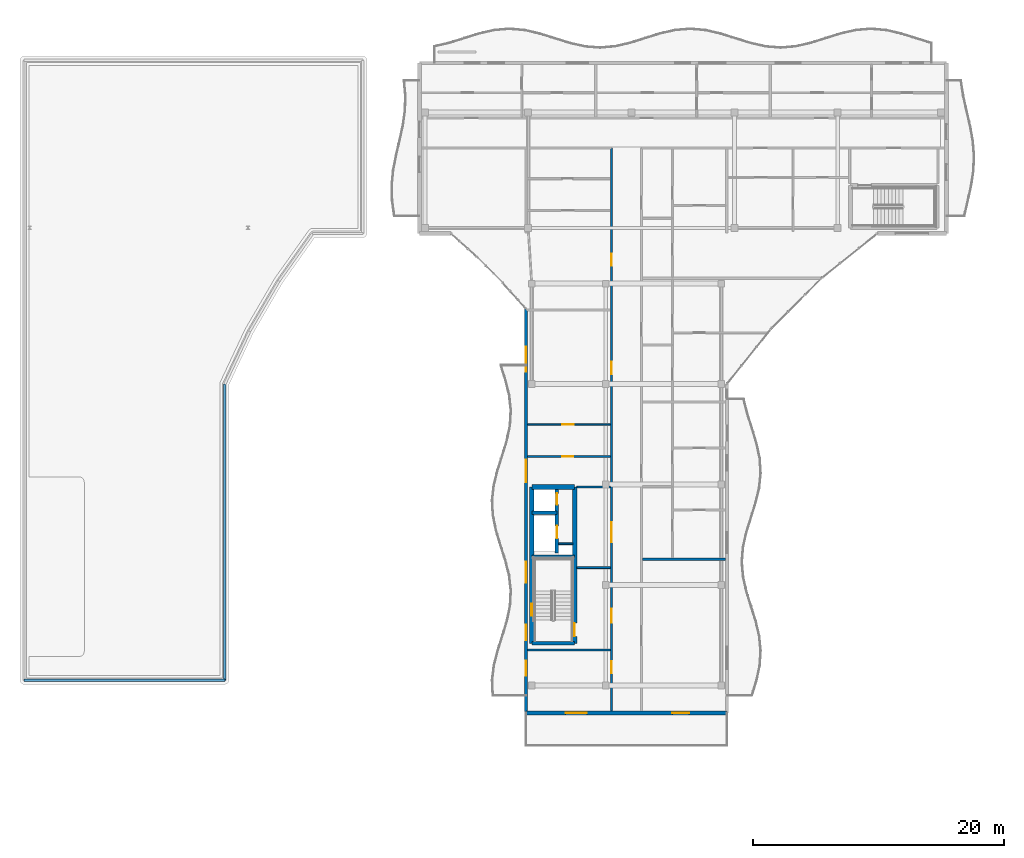
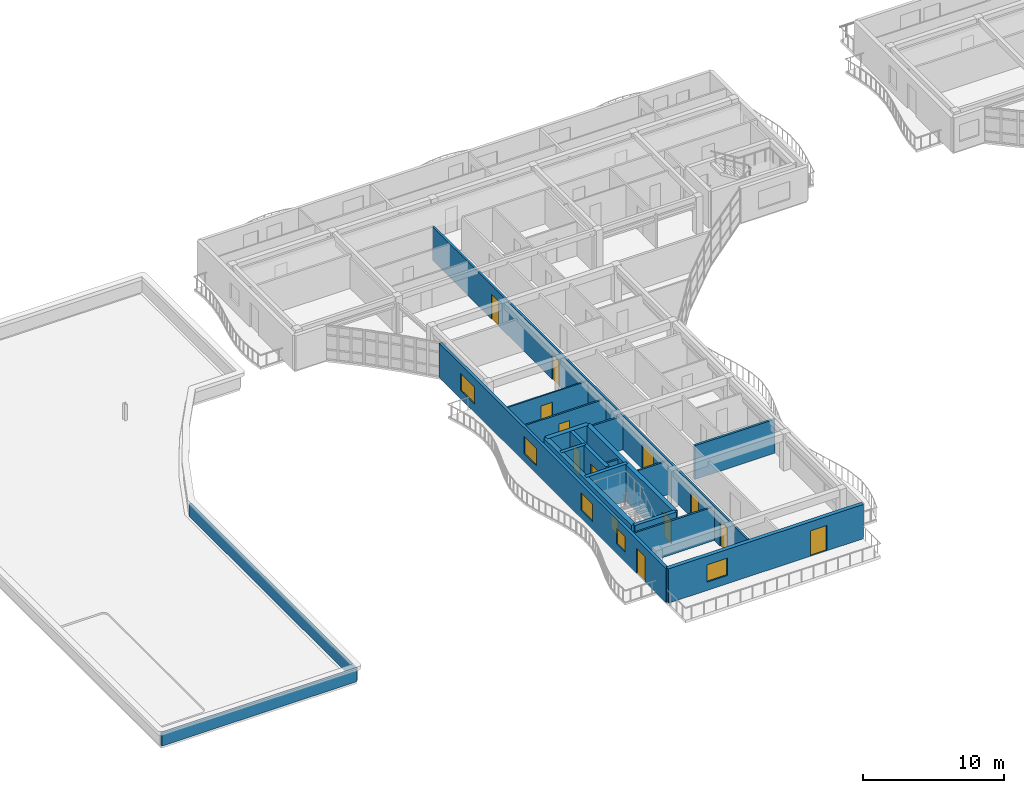
# One storey, part 25 of 54: 19 walls, 12 doors, 6 windows, 18 openings.
"""IFC4 building model written with IfcOpenShell, lengths in metres."""

from ifc_helpers import new_model, si_unit, direction, frame, frame_2d, origin, place, context, subcontext, project, spatial, rectangle, extrude, material, layer, layer_set, type_object, element, fill, save


model = new_model("IFC4")

# Units and contexts
model_context = context("Model", 3, precision=1e-05, world=origin(), true_north=direction((0.0, 1.0)))
body_context = subcontext(model_context, "Body", "Model", "MODEL_VIEW")
ifc_project = project(units=[si_unit("LENGTHUNIT", "METRE"), si_unit("AREAUNIT", "SQUARE_METRE"), si_unit("VOLUMEUNIT", "CUBIC_METRE"), si_unit("PLANEANGLEUNIT", "RADIAN"), si_unit("MASSUNIT", "GRAM", prefix="KILO")], contexts=[model_context])

# Site, building, storey
site_placement = place(None, origin())
site = spatial("IfcSite", under=ifc_project, at=site_placement, CompositionType="ELEMENT")
building_placement = place(site_placement, origin())
building = spatial("IfcBuilding", under=site, at=building_placement, Name="Keldmere Railside Commons", CompositionType="ELEMENT")
storey_placement = place(building_placement, frame((0.0, 0.0, 26.56005859375)))
storey = spatial("IfcBuildingStorey", under=building, at=storey_placement, Name="L08", CompositionType="ELEMENT", Elevation=26.56005859375)

# Wall
ifc_material_1 = material(Name="Acoustic Gypsum Board Partition", Category="gypsum")
ifc_layer_1 = layer(ifc_material_1, 0.179931640625, Name="Acoustic Demising Partition 180")
ifc_layer_set_1 = layer_set([ifc_layer_1], Name="Acoustic Gypsum Board Partition")
wall_type_1 = type_object("IfcWallType", Name="Acoustic Demising Partition 180", PredefinedType="PARTITIONING", material=ifc_layer_set_1)
wall_1_placement = place(storey_placement, frame((57.280029296875, 74.050048828125, 0.0), z_axis=(0.0, 0.0, 1.0), x_axis=(1.0, 0.0, 0.0)))
element("IfcWall", 1, at=wall_1_placement, inside=storey, type_object=wall_type_1, Name="IW-1 IW-L08-0824", PredefinedType="PARTITIONING", context=body_context, shape_type="SweptSolid", body=[
    extrude(rectangle(XDim=6.599853515625, YDim=0.179931640625, at=frame_2d((3.2998046875, 0.0))), origin(), (0.0, 0.0, 1.0), 2.93505859375),
])

# Wall, opening, door
ifc_layer_2 = layer(ifc_material_1, 0.1201171875, Name="Apartment Interior Partition 120")
ifc_layer_set_2 = layer_set([ifc_layer_2], Name="Acoustic Gypsum Board Partition")
wall_type_2 = type_object("IfcWallType", Name="Apartment Interior Partition 120", PredefinedType="PARTITIONING", material=ifc_layer_set_2)
wall_2_placement = place(storey_placement, frame((48.1201171875, 84.780029296875, 0.0), z_axis=(0.0, 0.0, 1.0), x_axis=(1.0, 0.0, 0.0)))
wall_2 = element("IfcWall", 2, at=wall_2_placement, inside=storey, type_object=wall_type_2, Name="IW-4 IW-L08-0853", PredefinedType="PARTITIONING", context=body_context, shape_type="SweptSolid", body=[
    extrude(rectangle(XDim=6.599853515625, YDim=0.1201171875, at=frame_2d((3.2998046875, 0.0))), origin(), (0.0, 0.0, 1.0), 2.93505859375),
])
opening_1_placement = place(wall_2_placement, frame((2.77197265625, 0.0, 0.0)))
opening_1 = element("IfcOpeningElement", 3, at=opening_1_placement, cuts=wall_2, Name="Opening ID-03", PredefinedType="OPENING", context=body_context, shape_type="SweptSolid", body=[
    extrude(rectangle(XDim=0.919921875, YDim=2.10009765625, at=frame_2d((0.4599609375, 1.050048828125))), frame((0.0, 0.070068359375, 0.0), z_axis=(0.0, -1.0, 0.0), x_axis=(1.0, 0.0, 0.0)), (0.0, 0.0, 1.0), 0.14013671875),
])
ifc_material_2 = material(Name="Engineered Oak Timber", Category="wood")
door_type_1 = type_object("IfcDoorType", Name="Kitchen Pocket-Frame Swing Door 920x2100", OperationType="NOTDEFINED", PredefinedType="DOOR", material=ifc_material_2)
door_1_placement = place(opening_1_placement, origin())
door_1 = element("IfcDoor", 4, at=door_1_placement, inside=storey, type_object=door_type_1, Name="ID-03 IDR-L08-0737", OperationType="SINGLE_SWING_LEFT", OverallHeight=2.10009765625, OverallWidth=0.919921875, PredefinedType="DOOR", context=body_context, shape_type="SweptSolid", body=[
    extrude(rectangle(XDim=0.919921875, YDim=2.10009765625, at=frame_2d((0.4599609375, 1.050048828125))), frame((0.0, 0.02490234375, 0.0), z_axis=(0.0, -1.0, 0.0), x_axis=(1.0, 0.0, 0.0)), (0.0, 0.0, 1.0), 0.050048828125),
])
fill(opening_1, door_1)

# Walls
ifc_material_3 = material(Name="Concrete H-35 (C35/45)", Category="concrete")
ifc_layer_3 = layer(ifc_material_3, 0.280029296875, Name="Core Shear Wall 280")
ifc_layer_set_3 = layer_set([ifc_layer_3], Name="Concrete H-35 (C35/45)")
wall_type_3 = type_object("IfcWallType", Name="Core Shear Wall 280", PredefinedType="SHEAR", material=ifc_layer_set_3)
wall_3_placement = place(storey_placement, frame((48.4599609375, 74.239990234375, 0.0), z_axis=(0.0, 0.0, 1.0), x_axis=(1.0, 0.0, 0.0)))
element("IfcWall", 5, at=wall_3_placement, inside=storey, type_object=wall_type_3, Name="CSW-2 CORECM-L08-0298", PredefinedType="SHEAR", context=body_context, shape_type="SweptSolid", body=[
    extrude(rectangle(XDim=3.41015625, YDim=0.280029296875, at=frame_2d((1.705078125, 0.0))), origin(), (0.0, 0.0, 1.0), 3.199951171875),
])
wall_4_placement = place(storey_placement, frame((48.4599609375, 77.75, 0.0), z_axis=(0.0, 0.0, 1.0), x_axis=(1.0, 0.0, 0.0)))
element("IfcWall", 6, at=wall_4_placement, inside=storey, type_object=wall_type_3, Name="CSW-2 CORECL-L08-0299", PredefinedType="SHEAR", context=body_context, shape_type="SweptSolid", body=[
    extrude(rectangle(XDim=2.0, YDim=0.280029296875, at=frame_2d((1.0, 0.0))), origin(), (0.0, 0.0, 1.0), 3.199951171875),
])

# Wall, openings, doors
wall_5_placement = place(storey_placement, frame((50.4599609375, 74.550048828125, 0.0), z_axis=(0.0, 0.0, 1.0), x_axis=(0.0, 1.0, 0.0)))
wall_5 = element("IfcWall", 7, at=wall_5_placement, inside=storey, type_object=wall_type_3, Name="CSW-2 LSHC-L08-0300", PredefinedType="SHEAR", context=body_context, shape_type="SweptSolid", body=[
    extrude(rectangle(XDim=5.25, YDim=0.280029296875, at=frame_2d((2.625, 0.0))), origin(), (0.0, 0.0, 1.0), 3.199951171875),
])
opening_2_placement = place(wall_5_placement, frame((1.14990234375, 0.0, 0.0)))
opening_2 = element("IfcOpeningElement", 8, at=opening_2_placement, cuts=wall_5, Name="Opening LD-1", PredefinedType="OPENING", context=body_context, shape_type="SweptSolid", body=[
    extrude(rectangle(XDim=1.0, YDim=2.14990234375, at=frame_2d((0.5, 1.074951171875))), frame((0.0, 0.14990234375, 0.0), z_axis=(0.0, -1.0, 0.0), x_axis=(1.0, 0.0, 0.0)), (0.0, 0.0, 1.0), 0.300048828125),
])
opening_3_placement = place(wall_5_placement, frame((3.85009765625, 0.0, 0.0)))
opening_3 = element("IfcOpeningElement", 9, at=opening_3_placement, cuts=wall_5, Name="Opening LD-2", PredefinedType="OPENING", context=body_context, shape_type="SweptSolid", body=[
    extrude(rectangle(XDim=0.89990234375, YDim=2.14990234375, at=frame_2d((0.449951171875, 1.074951171875))), frame((0.0, 0.14990234375, 0.0), z_axis=(0.0, -1.0, 0.0), x_axis=(1.0, 0.0, 0.0)), (0.0, 0.0, 1.0), 0.300048828125),
])
ifc_material_4 = material(Name="Steel F-24 (S235)", Category="steel")
door_type_2 = type_object("IfcDoorType", Name="Firefighting Stretcher Lift Landing Door 1000x2150", OperationType="SLIDING_TO_LEFT", PredefinedType="DOOR", material=ifc_material_4)
door_2_placement = place(opening_2_placement, origin())
door_2 = element("IfcDoor", 10, at=door_2_placement, inside=storey, type_object=door_type_2, Name="LD-1 C L08", OperationType="SLIDING_TO_LEFT", OverallHeight=2.14990234375, OverallWidth=1.0, PredefinedType="DOOR", context=body_context, shape_type="SweptSolid", body=[
    extrude(rectangle(XDim=1.0, YDim=2.14990234375, at=frame_2d((0.5, 1.074951171875))), frame((0.0, 0.02490234375, 0.0), z_axis=(0.0, -1.0, 0.0), x_axis=(1.0, 0.0, 0.0)), (0.0, 0.0, 1.0), 0.050048828125),
])
fill(opening_2, door_2)
door_type_3 = type_object("IfcDoorType", Name="Passenger Lift Sliding Landing Door 900x2150", OperationType="SLIDING_TO_RIGHT", PredefinedType="DOOR", material=ifc_material_4)
door_3_placement = place(opening_3_placement, origin())
door_3 = element("IfcDoor", 11, at=door_3_placement, inside=storey, type_object=door_type_3, Name="LD-2 C L08", OperationType="SLIDING_TO_RIGHT", OverallHeight=2.14990234375, OverallWidth=0.89990234375, PredefinedType="DOOR", context=body_context, shape_type="SweptSolid", body=[
    extrude(rectangle(XDim=0.89990234375, YDim=2.14990234375, at=frame_2d((0.449951171875, 1.074951171875))), frame((0.0, 0.02490234375, 0.0), z_axis=(0.0, -1.0, 0.0), x_axis=(1.0, 0.0, 0.0)), (0.0, 0.0, 1.0), 0.050048828125),
])
fill(opening_3, door_3)

# Wall, opening, window
ifc_material_5 = material(Name="Concrete H-40 (C40/50)", Category="concrete")
ifc_layer_4 = layer(ifc_material_5, 0.3798828125, Name="Core Shear Wall 380")
ifc_layer_set_4 = layer_set([ifc_layer_4], Name="Concrete H-40 (C40/50)")
wall_type_4 = type_object("IfcWallType", Name="Core Shear Wall 380", PredefinedType="SHEAR", material=ifc_layer_set_4)
wall_6_placement = place(storey_placement, frame((48.4599609375, 67.35009765625, 0.0), z_axis=(0.0, 0.0, 1.0), x_axis=(0.0, 1.0, 0.0)))
wall_6 = element("IfcWall", 12, at=wall_6_placement, inside=storey, type_object=wall_type_4, Name="CW-CORE CORECW-L08-0294", PredefinedType="SHEAR", context=body_context, shape_type="SweptSolid", body=[
    extrude(rectangle(XDim=12.449951171875, YDim=0.3798828125, at=frame_2d((6.22509765625, 0.0))), origin(), (0.0, 0.0, 1.0), 3.199951171875),
])
opening_4_placement = place(wall_6_placement, frame((2.199951171875, 0.0, 0.969970703125)))
opening_4 = element("IfcOpeningElement", 13, at=opening_4_placement, cuts=wall_6, Name="Opening WN-17", PredefinedType="OPENING", context=body_context, shape_type="SweptSolid", body=[
    extrude(rectangle(XDim=0.949951171875, YDim=1.25, at=frame_2d((0.47509765625, 0.625))), frame((0.0, 0.199951171875, 0.0), z_axis=(0.0, -1.0, 0.0), x_axis=(1.0, 0.0, 0.0)), (0.0, 0.0, 1.0), 0.39990234375),
])
ifc_material_6 = material(Name="Low-E Insulated Double Glazing", Category="glass")
window_type_1 = type_object("IfcWindowType", Name="Stair Core Natural Smoke-Vent Window 950x1250", PartitioningType="SINGLE_PANEL", PredefinedType="WINDOW", material=ifc_material_6)
window_1_placement = place(opening_4_placement, origin())
window_1 = element("IfcWindow", 14, at=window_1_placement, inside=storey, type_object=window_type_1, Name="WN-17 WIN-L08-0154", OverallHeight=1.25, OverallWidth=0.949951171875, PartitioningType="SINGLE_PANEL", PredefinedType="WINDOW", context=body_context, shape_type="SweptSolid", body=[
    extrude(rectangle(XDim=0.949951171875, YDim=1.25, at=frame_2d((0.47509765625, 0.625))), frame((0.0, 0.030029296875, 0.0), z_axis=(0.0, -1.0, 0.0), x_axis=(1.0, 0.0, 0.0)), (0.0, 0.0, 1.0), 0.06005859375),
])
fill(opening_4, window_1)

# Wall
wall_7_placement = place(storey_placement, frame((48.4599609375, 79.800048828125, 0.0), z_axis=(0.0, 0.0, 1.0), x_axis=(1.0, 0.0, 0.0)))
element("IfcWall", 15, at=wall_7_placement, inside=storey, type_object=wall_type_4, Name="CW-CORE CORECN-L08-0295", PredefinedType="SHEAR", context=body_context, shape_type="SweptSolid", body=[
    extrude(rectangle(XDim=3.41015625, YDim=0.3798828125, at=frame_2d((1.705078125, 0.0))), origin(), (0.0, 0.0, 1.0), 3.199951171875),
])

# Wall, openings, doors
ifc_layer_5 = layer(ifc_material_1, 0.159912109375, Name="Corridor Fire Partition 160")
ifc_layer_set_5 = layer_set([ifc_layer_5], Name="Acoustic Gypsum Board Partition")
wall_type_5 = type_object("IfcWallType", Name="Corridor Fire Partition 160", PredefinedType="PARTITIONING", material=ifc_layer_set_5)
wall_8_placement = place(storey_placement, frame((54.800048828125, 61.9599609375, 0.0), z_axis=(0.0, 0.0, 1.0), x_axis=(0.0, 1.0, 0.0)))
wall_8 = element("IfcWall", 16, at=wall_8_placement, inside=storey, type_object=wall_type_5, Name="IW-2 IW-L08-0815", PredefinedType="PARTITIONING", context=body_context, shape_type="SweptSolid", body=[
    extrude(rectangle(XDim=44.840087890625, YDim=0.159912109375, at=frame_2d((22.419921875, 0.0))), origin(), (0.0, 0.0, 1.0), 2.93505859375),
])
opening_5_placement = place(wall_8_placement, frame((7.0400390625, 0.0, 0.0)))
opening_5 = element("IfcOpeningElement", 17, at=opening_5_placement, cuts=wall_8, Name="Opening FD-2", PredefinedType="OPENING", context=body_context, shape_type="SweptSolid", body=[
    extrude(rectangle(XDim=1.10009765625, YDim=2.14990234375, at=frame_2d((0.550048828125, 1.074951171875))), frame((0.0, 0.08984375, 0.0), z_axis=(0.0, -1.0, 0.0), x_axis=(1.0, 0.0, 0.0)), (0.0, 0.0, 1.0), 0.179931640625),
])
opening_6_placement = place(wall_8_placement, frame((13.43994140625, 0.0, 0.0)))
opening_6 = element("IfcOpeningElement", 18, at=opening_6_placement, cuts=wall_8, Name="Opening FD-4", PredefinedType="OPENING", context=body_context, shape_type="SweptSolid", body=[
    extrude(rectangle(XDim=1.60009765625, YDim=2.14990234375, at=frame_2d((0.800048828125, 1.074951171875))), frame((0.0, 0.08984375, 0.0), z_axis=(0.0, -1.0, 0.0), x_axis=(1.0, 0.0, 0.0)), (0.0, 0.0, 1.0), 0.179931640625),
])
opening_7_placement = place(wall_8_placement, frame((3.0, 0.0, 0.0)))
opening_7 = element("IfcOpeningElement", 19, at=opening_7_placement, cuts=wall_8, Name="Opening ID-08", PredefinedType="OPENING", context=body_context, shape_type="SweptSolid", body=[
    extrude(rectangle(XDim=0.9599609375, YDim=2.14990234375, at=frame_2d((0.47998046875, 1.074951171875))), frame((0.0, 0.08984375, 0.0), z_axis=(0.0, -1.0, 0.0), x_axis=(1.0, 0.0, 0.0)), (0.0, 0.0, 1.0), 0.179931640625),
])
opening_8_placement = place(wall_8_placement, frame((26.844970703125, 0.0, 0.0)))
opening_8 = element("IfcOpeningElement", 20, at=opening_8_placement, cuts=wall_8, Name="Opening FD-7", PredefinedType="OPENING", context=body_context, shape_type="SweptSolid", body=[
    extrude(rectangle(XDim=0.97998046875, YDim=2.14990234375, at=frame_2d((0.489990234375, 1.074951171875))), frame((0.0, 0.08984375, 0.0), z_axis=(0.0, -1.0, 0.0), x_axis=(1.0, 0.0, 0.0)), (0.0, 0.0, 1.0), 0.179931640625),
])
opening_9_placement = place(wall_8_placement, frame((35.455078125, 0.0, 0.0)))
opening_9 = element("IfcOpeningElement", 21, at=opening_9_placement, cuts=wall_8, Name="Opening FD-7", PredefinedType="OPENING", context=body_context, shape_type="SweptSolid", body=[
    extrude(rectangle(XDim=0.97998046875, YDim=2.14990234375, at=frame_2d((0.489990234375, 1.074951171875))), frame((0.0, 0.08984375, 0.0), z_axis=(0.0, -1.0, 0.0), x_axis=(1.0, 0.0, 0.0)), (0.0, 0.0, 1.0), 0.179931640625),
])
door_type_4 = type_object("IfcDoorType", Name="Apartment Entrance Acoustic Fire Door 980x2150", OperationType="NOTDEFINED", PredefinedType="DOOR", material=ifc_material_2)
door_4_placement = place(opening_8_placement, origin())
door_4 = element("IfcDoor", 22, at=door_4_placement, inside=storey, type_object=door_type_4, Name="FD-7 IDR-L08-0738", OperationType="SINGLE_SWING_RIGHT", OverallHeight=2.14990234375, OverallWidth=0.97998046875, PredefinedType="DOOR", context=body_context, shape_type="SweptSolid", body=[
    extrude(rectangle(XDim=0.97998046875, YDim=2.14990234375, at=frame_2d((0.489990234375, 1.074951171875))), frame((0.0, 0.02490234375, 0.0), z_axis=(0.0, -1.0, 0.0), x_axis=(1.0, 0.0, 0.0)), (0.0, 0.0, 1.0), 0.050048828125),
])
fill(opening_8, door_4)
door_5_placement = place(opening_9_placement, origin())
door_5 = element("IfcDoor", 23, at=door_5_placement, inside=storey, type_object=door_type_4, Name="FD-7 IDR-L08-0741", OperationType="SINGLE_SWING_LEFT", OverallHeight=2.14990234375, OverallWidth=0.97998046875, PredefinedType="DOOR", context=body_context, shape_type="SweptSolid", body=[
    extrude(rectangle(XDim=0.97998046875, YDim=2.14990234375, at=frame_2d((0.489990234375, 1.074951171875))), frame((0.0, 0.02490234375, 0.0), z_axis=(0.0, -1.0, 0.0), x_axis=(1.0, 0.0, 0.0)), (0.0, 0.0, 1.0), 0.050048828125),
])
fill(opening_9, door_5)
door_type_5 = type_object("IfcDoorType", Name="Corridor Cross-Compartment Double Fire Door 1600x2150", OperationType="DOUBLE_DOOR_SINGLE_SWING", PredefinedType="DOOR", material=ifc_material_4)
door_6_placement = place(opening_6_placement, origin())
door_6 = element("IfcDoor", 24, at=door_6_placement, inside=storey, type_object=door_type_5, Name="FD-4 IDR-L08-0702", OperationType="DOUBLE_DOOR_SINGLE_SWING", OverallHeight=2.14990234375, OverallWidth=1.60009765625, PredefinedType="DOOR", context=body_context, shape_type="SweptSolid", body=[
    extrude(rectangle(XDim=1.60009765625, YDim=2.14990234375, at=frame_2d((0.800048828125, 1.074951171875))), frame((0.0, 0.02490234375, 0.0), z_axis=(0.0, -1.0, 0.0), x_axis=(1.0, 0.0, 0.0)), (0.0, 0.0, 1.0), 0.050048828125),
])
fill(opening_6, door_6)
door_type_6 = type_object("IfcDoorType", Name="Firefighting Lobby Fire Door 1100x2150", OperationType="NOTDEFINED", PredefinedType="DOOR", material=ifc_material_4)
door_7_placement = place(opening_5_placement, origin())
door_7 = element("IfcDoor", 25, at=door_7_placement, inside=storey, type_object=door_type_6, Name="FD-2 IDR-L08-0701", OperationType="SINGLE_SWING_LEFT", OverallHeight=2.14990234375, OverallWidth=1.10009765625, PredefinedType="DOOR", context=body_context, shape_type="SweptSolid", body=[
    extrude(rectangle(XDim=1.10009765625, YDim=2.14990234375, at=frame_2d((0.550048828125, 1.074951171875))), frame((0.0, 0.02490234375, 0.0), z_axis=(0.0, -1.0, 0.0), x_axis=(1.0, 0.0, 0.0)), (0.0, 0.0, 1.0), 0.050048828125),
])
fill(opening_5, door_7)
door_type_7 = type_object("IfcDoorType", Name="Study & Meeting Room Door 960x2150", OperationType="NOTDEFINED", PredefinedType="DOOR", material=ifc_material_2)
door_8_placement = place(opening_7_placement, origin())
door_8 = element("IfcDoor", 26, at=door_8_placement, inside=storey, type_object=door_type_7, Name="ID-08 IDR-L08-0735", OperationType="SINGLE_SWING_LEFT", OverallHeight=2.14990234375, OverallWidth=0.9599609375, PredefinedType="DOOR", context=body_context, shape_type="SweptSolid", body=[
    extrude(rectangle(XDim=0.9599609375, YDim=2.14990234375, at=frame_2d((0.47998046875, 1.074951171875))), frame((0.0, 0.02490234375, 0.0), z_axis=(0.0, -1.0, 0.0), x_axis=(1.0, 0.0, 0.0)), (0.0, 0.0, 1.0), 0.050048828125),
])
fill(opening_7, door_8)

# Wall, openings, door, window
ifc_layer_6 = layer(ifc_material_3, 0.320068359375, Name="Exterior Shear Wall 320")
ifc_layer_set_6 = layer_set([ifc_layer_6], Name="Concrete H-35 (C35/45)")
wall_type_6 = type_object("IfcWallType", Name="Exterior Shear Wall 320", PredefinedType="SHEAR", material=ifc_layer_set_6)
wall_9_placement = place(storey_placement, frame((64.0, 61.800048828125, 0.0), z_axis=(0.0, 0.0, 1.0), x_axis=(-1.0, 0.0, 0.0)))
wall_9 = element("IfcWall", 27, at=wall_9_placement, inside=storey, type_object=wall_type_6, Name="ESW-2 EXTC-L08-0388", PredefinedType="SHEAR", context=body_context, shape_type="SweptSolid", body=[
    extrude(rectangle(XDim=16.0, YDim=0.320068359375, at=frame_2d((8.0, 0.0))), origin(), (0.0, 0.0, 1.0), 2.97998046875),
])
opening_10_placement = place(wall_9_placement, frame((3.0, 0.0, 0.0)))
opening_10 = element("IfcOpeningElement", 28, at=opening_10_placement, cuts=wall_9, Name="Opening BD-03", PredefinedType="OPENING", context=body_context, shape_type="SweptSolid", body=[
    extrude(rectangle(XDim=1.35009765625, YDim=2.199951171875, at=frame_2d((0.675048828125, 1.10009765625))), frame((0.0, 0.169921875, 0.0), z_axis=(0.0, -1.0, 0.0), x_axis=(1.0, 0.0, 0.0)), (0.0, 0.0, 1.0), 0.340087890625),
])
opening_11_placement = place(wall_9_placement, frame((11.159912109375, 0.0, 0.719970703125)))
opening_11 = element("IfcOpeningElement", 29, at=opening_11_placement, cuts=wall_9, Name="Opening WN-40", PredefinedType="OPENING", context=body_context, shape_type="SweptSolid", body=[
    extrude(rectangle(XDim=1.679931640625, YDim=1.5, at=frame_2d((0.83984375, 0.75))), frame((0.0, 0.169921875, 0.0), z_axis=(0.0, -1.0, 0.0), x_axis=(1.0, 0.0, 0.0)), (0.0, 0.0, 1.0), 0.340087890625),
])
ifc_material_7 = material(Name="Thermally Broken Aluminium", Category="aluminium")
door_type_8 = type_object("IfcDoorType", Name="Planted Roof-Terrace Lounge Door 1350x2200", OperationType="NOTDEFINED", PredefinedType="DOOR", material=ifc_material_7)
door_9_placement = place(opening_10_placement, origin())
door_9 = element("IfcDoor", 30, at=door_9_placement, inside=storey, type_object=door_type_8, Name="BD-03 DR-L08-0107", OperationType="SINGLE_SWING_LEFT", OverallHeight=2.199951171875, OverallWidth=1.35009765625, PredefinedType="DOOR", context=body_context, shape_type="SweptSolid", body=[
    extrude(rectangle(XDim=1.35009765625, YDim=2.199951171875, at=frame_2d((0.675048828125, 1.10009765625))), frame((0.0, 0.02490234375, 0.0), z_axis=(0.0, -1.0, 0.0), x_axis=(1.0, 0.0, 0.0)), (0.0, 0.0, 1.0), 0.050048828125),
])
fill(opening_10, door_9)
window_type_2 = type_object("IfcWindowType", Name="Two-Bed Dining Casement Window 1680x1500", PartitioningType="SINGLE_PANEL", PredefinedType="WINDOW", material=ifc_material_6)
window_2_placement = place(opening_11_placement, origin())
window_2 = element("IfcWindow", 31, at=window_2_placement, inside=storey, type_object=window_type_2, Name="WN-40 WIN-L08-0306", OverallHeight=1.5, OverallWidth=1.679931640625, PartitioningType="SINGLE_PANEL", PredefinedType="WINDOW", context=body_context, shape_type="SweptSolid", body=[
    extrude(rectangle(XDim=1.679931640625, YDim=1.5, at=frame_2d((0.83984375, 0.75))), frame((0.0, 0.030029296875, 0.0), z_axis=(0.0, -1.0, 0.0), x_axis=(1.0, 0.0, 0.0)), (0.0, 0.0, 1.0), 0.06005859375),
])
fill(opening_11, window_2)

# Wall
ifc_layer_7 = layer(ifc_material_3, 0.300048828125, Name="Interior Shear Wall 300")
ifc_layer_set_7 = layer_set([ifc_layer_7], Name="Concrete H-35 (C35/45)")
wall_type_7 = type_object("IfcWallType", Name="Interior Shear Wall 300", PredefinedType="SHEAR", material=ifc_layer_set_7)
wall_10_placement = place(storey_placement, frame((51.8701171875, 67.35009765625, 0.0), z_axis=(0.0, 0.0, 1.0), x_axis=(-1.0, 0.0, 0.0)))
element("IfcWall", 32, at=wall_10_placement, inside=storey, type_object=wall_type_7, Name="ISW-2 CORECS-L08-0297", PredefinedType="SHEAR", context=body_context, shape_type="SweptSolid", body=[
    extrude(rectangle(XDim=3.41015625, YDim=0.300048828125, at=frame_2d((1.705078125, 0.0))), origin(), (0.0, 0.0, 1.0), 3.199951171875),
])

# Wall, opening, door
ifc_layer_8 = layer(ifc_material_3, 0.340087890625, Name="Interior Shear Wall 340")
ifc_layer_set_8 = layer_set([ifc_layer_8], Name="Concrete H-35 (C35/45)")
wall_type_8 = type_object("IfcWallType", Name="Interior Shear Wall 340", PredefinedType="SHEAR", material=ifc_layer_set_8)
wall_11_placement = place(storey_placement, frame((51.8701171875, 79.800048828125, 0.0), z_axis=(0.0, 0.0, 1.0), x_axis=(0.0, -1.0, 0.0)))
wall_11 = element("IfcWall", 33, at=wall_11_placement, inside=storey, type_object=wall_type_8, Name="ISW-1 CORECE-L08-0296", PredefinedType="SHEAR", context=body_context, shape_type="SweptSolid", body=[
    extrude(rectangle(XDim=12.449951171875, YDim=0.340087890625, at=frame_2d((6.22509765625, 0.0))), origin(), (0.0, 0.0, 1.0), 3.199951171875),
])
opening_12_placement = place(wall_11_placement, frame((10.85009765625, 0.0, 0.0)))
opening_12 = element("IfcOpeningElement", 34, at=opening_12_placement, cuts=wall_11, Name="Opening FD-1", PredefinedType="OPENING", context=body_context, shape_type="SweptSolid", body=[
    extrude(rectangle(XDim=1.050048828125, YDim=2.14990234375, at=frame_2d((0.52490234375, 1.074951171875))), frame((0.0, 0.179931640625, 0.0), z_axis=(0.0, -1.0, 0.0), x_axis=(1.0, 0.0, 0.0)), (0.0, 0.0, 1.0), 0.360107421875),
])
door_type_9 = type_object("IfcDoorType", Name="Stair Core Fire Door 1050x2150", OperationType="NOTDEFINED", PredefinedType="DOOR", material=ifc_material_4)
door_10_placement = place(opening_12_placement, origin())
door_10 = element("IfcDoor", 35, at=door_10_placement, inside=storey, type_object=door_type_9, Name="FD-1 C1 L08", OperationType="SINGLE_SWING_LEFT", OverallHeight=2.14990234375, OverallWidth=1.050048828125, PredefinedType="DOOR", context=body_context, shape_type="SweptSolid", body=[
    extrude(rectangle(XDim=1.050048828125, YDim=2.14990234375, at=frame_2d((0.52490234375, 1.074951171875))), frame((0.0, 0.02490234375, 0.0), z_axis=(0.0, -1.0, 0.0), x_axis=(1.0, 0.0, 0.0)), (0.0, 0.0, 1.0), 0.050048828125),
])
fill(opening_12, door_10)

# Walls
ifc_layer_9 = layer(ifc_material_1, 0.14990234375, Name="Lobby Rated Partition 150")
ifc_layer_set_9 = layer_set([ifc_layer_9], Name="Acoustic Gypsum Board Partition")
wall_type_9 = type_object("IfcWallType", Name="Lobby Rated Partition 150", PredefinedType="PARTITIONING", material=ifc_layer_set_9)
wall_12_placement = place(storey_placement, frame((50.60009765625, 75.280029296875, 0.0), z_axis=(0.0, 0.0, 1.0), x_axis=(1.0, 0.0, 0.0)))
element("IfcWall", 36, at=wall_12_placement, inside=storey, type_object=wall_type_9, Name="IW-3 RSRNC-L08-0301", PredefinedType="PARTITIONING", context=body_context, shape_type="SweptSolid", body=[
    extrude(rectangle(XDim=1.1298828125, YDim=0.14990234375, at=frame_2d((0.56494140625, 0.0))), origin(), (0.0, 0.0, 1.0), 2.949951171875),
])
wall_13_placement = place(storey_placement, frame((48.1201171875, 66.820068359375, 0.0), z_axis=(0.0, 0.0, 1.0), x_axis=(1.0, 0.0, 0.0)))
element("IfcWall", 37, at=wall_13_placement, inside=storey, type_object=wall_type_9, Name="IW-3 IW-L08-0812", PredefinedType="PARTITIONING", context=body_context, shape_type="SweptSolid", body=[
    extrude(rectangle(XDim=6.599853515625, YDim=0.14990234375, at=frame_2d((3.2998046875, 0.0))), origin(), (0.0, 0.0, 1.0), 2.93505859375),
])
for number, where, z_axis, x_axis, name in (
    (38, (52.0400390625, 73.3798828125, 0.0), (0.0, 0.0, 1.0), (1.0, 0.0, 0.0), "IW-3 IW-L08-0813"),
    (39, (52.0400390625, 79.800048828125, 0.0), (0.0, 0.0, 1.0), (1.0, 0.0, 0.0), "IW-3 IW-L08-0814"),
):
    element("IfcWall", number, at=place(storey_placement, frame(where, z_axis=z_axis, x_axis=x_axis)), inside=storey, type_object=wall_type_9, Name=name, PredefinedType="PARTITIONING", context=body_context, shape_type="SweptSolid", body=[
        extrude(rectangle(XDim=2.679931640625, YDim=0.14990234375, at=frame_2d((1.33984375, 0.0))), origin(), (0.0, 0.0, 1.0), 2.93505859375),
    ])
ifc_material_8 = material(Name="Architectural Precast Concrete H-35 (C35/45)", Category="concrete")
ifc_layer_10 = layer(ifc_material_8, 0.18994140625, Name="Roof Parapet Wall 190")
ifc_layer_set_10 = layer_set([ifc_layer_10], Name="Architectural Precast Concrete H-35 (C35/45)")
wall_type_10 = type_object("IfcWallType", Name="Roof Parapet Wall 190", PredefinedType="PARAPET", material=ifc_layer_set_10)
wall_14_placement = place(storey_placement, frame((24.0, 64.39990234375, 0.0), z_axis=(0.0, 0.0, 1.0), x_axis=(-1.0, 0.0, 0.0)))
element("IfcWall", 40, at=wall_14_placement, inside=storey, type_object=wall_type_10, Name="PW-1 PRPD-L08-0177", PredefinedType="PARAPET", context=body_context, shape_type="SweptSolid", body=[
    extrude(rectangle(XDim=16.0, YDim=0.18994140625, at=frame_2d((8.0, 0.0))), origin(), (0.0, 0.0, 1.0), 1.099853515625),
])
wall_15_placement = place(storey_placement, frame((24.0, 88.0, 0.0), z_axis=(0.0, 0.0, 1.0), x_axis=(0.0, -1.0, 0.0)))
element("IfcWall", 41, at=wall_15_placement, inside=storey, type_object=wall_type_10, Name="PW-1 PRPD-L08-0178", PredefinedType="PARAPET", context=body_context, shape_type="SweptSolid", body=[
    extrude(rectangle(XDim=23.60009765625, YDim=0.18994140625, at=frame_2d((11.800048828125, 0.0))), origin(), (0.0, 0.0, 1.0), 1.099853515625),
])

# Wall, openings, door, windows
ifc_layer_11 = layer(ifc_material_8, 0.239990234375, Name="Sand-Ochre Precast Cavity Wall 240")
ifc_layer_set_11 = layer_set([ifc_layer_11], Name="Architectural Precast Concrete H-35 (C35/45)")
wall_type_11 = type_object("IfcWallType", Name="Sand-Ochre Precast Cavity Wall 240", PredefinedType="SOLIDWALL", material=ifc_layer_set_11)
wall_16_placement = place(storey_placement, frame((48.0, 61.800048828125, 0.0), z_axis=(0.0, 0.0, 1.0), x_axis=(0.0, 1.0, 0.0)))
wall_16 = element("IfcWall", 42, at=wall_16_placement, inside=storey, type_object=wall_type_11, Name="EW-2 EXTC-L08-0395", PredefinedType="SOLIDWALL", context=body_context, shape_type="SweptSolid", body=[
    extrude(rectangle(XDim=32.199951171875, YDim=0.239990234375, at=frame_2d((16.10009765625, 0.0))), origin(), (0.0, 0.0, 1.0), 2.97998046875),
])
opening_13_placement = place(wall_16_placement, frame((2.97509765625, 0.0, 0.0)))
opening_13 = element("IfcOpeningElement", 43, at=opening_13_placement, cuts=wall_16, Name="Opening BD-01", PredefinedType="OPENING", context=body_context, shape_type="SweptSolid", body=[
    extrude(rectangle(XDim=1.199951171875, YDim=2.199951171875, at=frame_2d((0.60009765625, 1.10009765625))), frame((0.0, 0.1298828125, 0.0), z_axis=(0.0, -1.0, 0.0), x_axis=(1.0, 0.0, 0.0)), (0.0, 0.0, 1.0), 0.260009765625),
])
opening_14_placement = place(wall_16_placement, frame((5.77490234375, 0.0, 0.8701171875)))
opening_14 = element("IfcOpeningElement", 44, at=opening_14_placement, cuts=wall_16, Name="Opening WN-09", PredefinedType="OPENING", context=body_context, shape_type="SweptSolid", body=[
    extrude(rectangle(XDim=1.25, YDim=1.35009765625, at=frame_2d((0.625, 0.675048828125))), frame((0.0, 0.1298828125, 0.0), z_axis=(0.0, -1.0, 0.0), x_axis=(1.0, 0.0, 0.0)), (0.0, 0.0, 1.0), 0.260009765625),
])
opening_15_placement = place(wall_16_placement, frame((10.385009765625, 0.0, 0.719970703125)))
opening_15 = element("IfcOpeningElement", 45, at=opening_15_placement, cuts=wall_16, Name="Opening WN-40", PredefinedType="OPENING", context=body_context, shape_type="SweptSolid", body=[
    extrude(rectangle(XDim=1.679931640625, YDim=1.5, at=frame_2d((0.83984375, 0.75))), frame((0.0, 0.1298828125, 0.0), z_axis=(0.0, -1.0, 0.0), x_axis=(1.0, 0.0, 0.0)), (0.0, 0.0, 1.0), 0.260009765625),
])
opening_16_placement = place(wall_16_placement, frame((18.375, 0.0, 0.719970703125)))
opening_16 = element("IfcOpeningElement", 46, at=opening_16_placement, cuts=wall_16, Name="Opening WN-01", PredefinedType="OPENING", context=body_context, shape_type="SweptSolid", body=[
    extrude(rectangle(XDim=1.800048828125, YDim=1.5, at=frame_2d((0.89990234375, 0.75))), frame((0.0, 0.1298828125, 0.0), z_axis=(0.0, -1.0, 0.0), x_axis=(1.0, 0.0, 0.0)), (0.0, 0.0, 1.0), 0.260009765625),
])
opening_17_placement = place(wall_16_placement, frame((27.175048828125, 0.0, 0.719970703125)))
opening_17 = element("IfcOpeningElement", 47, at=opening_17_placement, cuts=wall_16, Name="Opening WN-02", PredefinedType="OPENING", context=body_context, shape_type="SweptSolid", body=[
    extrude(rectangle(XDim=2.0, YDim=1.5, at=frame_2d((1.0, 0.75))), frame((0.0, 0.1298828125, 0.0), z_axis=(0.0, -1.0, 0.0), x_axis=(1.0, 0.0, 0.0)), (0.0, 0.0, 1.0), 0.260009765625),
])
door_type_10 = type_object("IfcDoorType", Name="Apartment Living Wave-Balcony Glazed Door 1200x2200", OperationType="NOTDEFINED", PredefinedType="DOOR", material=ifc_material_7)
door_11_placement = place(opening_13_placement, origin())
door_11 = element("IfcDoor", 48, at=door_11_placement, inside=storey, type_object=door_type_10, Name="BD-01 DR-L08-0114", OperationType="SINGLE_SWING_RIGHT", OverallHeight=2.199951171875, OverallWidth=1.199951171875, PredefinedType="DOOR", context=body_context, shape_type="SweptSolid", body=[
    extrude(rectangle(XDim=1.199951171875, YDim=2.199951171875, at=frame_2d((0.60009765625, 1.10009765625))), frame((0.0, 0.02490234375, 0.0), z_axis=(0.0, -1.0, 0.0), x_axis=(1.0, 0.0, 0.0)), (0.0, 0.0, 1.0), 0.050048828125),
])
fill(opening_13, door_11)
window_type_3 = type_object("IfcWindowType", Name="Living Room North Casement Window 1800x1500", PartitioningType="SINGLE_PANEL", PredefinedType="WINDOW", material=ifc_material_6)
window_3_placement = place(opening_16_placement, origin())
window_3 = element("IfcWindow", 49, at=window_3_placement, inside=storey, type_object=window_type_3, Name="WN-01 WIN-L08-0320", OverallHeight=1.5, OverallWidth=1.800048828125, PartitioningType="SINGLE_PANEL", PredefinedType="WINDOW", context=body_context, shape_type="SweptSolid", body=[
    extrude(rectangle(XDim=1.800048828125, YDim=1.5, at=frame_2d((0.89990234375, 0.75))), frame((0.0, 0.030029296875, 0.0), z_axis=(0.0, -1.0, 0.0), x_axis=(1.0, 0.0, 0.0)), (0.0, 0.0, 1.0), 0.06005859375),
])
fill(opening_16, window_3)
window_type_4 = type_object("IfcWindowType", Name="Living Room South Casement Window 2000x1500", PartitioningType="SINGLE_PANEL", PredefinedType="WINDOW", material=ifc_material_6)
window_4_placement = place(opening_17_placement, origin())
window_4 = element("IfcWindow", 50, at=window_4_placement, inside=storey, type_object=window_type_4, Name="WN-02 WIN-L08-0321", OverallHeight=1.5, OverallWidth=2.0, PartitioningType="SINGLE_PANEL", PredefinedType="WINDOW", context=body_context, shape_type="SweptSolid", body=[
    extrude(rectangle(XDim=2.0, YDim=1.5, at=frame_2d((1.0, 0.75))), frame((0.0, 0.030029296875, 0.0), z_axis=(0.0, -1.0, 0.0), x_axis=(1.0, 0.0, 0.0)), (0.0, 0.0, 1.0), 0.06005859375),
])
fill(opening_17, window_4)
window_type_5 = type_object("IfcWindowType", Name="Secondary Bedroom Window 1250x1350", PartitioningType="SINGLE_PANEL", PredefinedType="WINDOW", material=ifc_material_6)
window_5_placement = place(opening_14_placement, origin())
window_5 = element("IfcWindow", 51, at=window_5_placement, inside=storey, type_object=window_type_5, Name="WN-09 WIN-L08-0318", OverallHeight=1.35009765625, OverallWidth=1.25, PartitioningType="SINGLE_PANEL", PredefinedType="WINDOW", context=body_context, shape_type="SweptSolid", body=[
    extrude(rectangle(XDim=1.25, YDim=1.35009765625, at=frame_2d((0.625, 0.675048828125))), frame((0.0, 0.030029296875, 0.0), z_axis=(0.0, -1.0, 0.0), x_axis=(1.0, 0.0, 0.0)), (0.0, 0.0, 1.0), 0.06005859375),
])
fill(opening_14, window_5)
window_6_placement = place(opening_15_placement, origin())
window_6 = element("IfcWindow", 52, at=window_6_placement, inside=storey, type_object=window_type_2, Name="WN-40 WIN-L08-0319", OverallHeight=1.5, OverallWidth=1.679931640625, PartitioningType="SINGLE_PANEL", PredefinedType="WINDOW", context=body_context, shape_type="SweptSolid", body=[
    extrude(rectangle(XDim=1.679931640625, YDim=1.5, at=frame_2d((0.83984375, 0.75))), frame((0.0, 0.030029296875, 0.0), z_axis=(0.0, -1.0, 0.0), x_axis=(1.0, 0.0, 0.0)), (0.0, 0.0, 1.0), 0.06005859375),
])
fill(opening_15, window_6)

# Wall, opening, door
ifc_layer_12 = layer(ifc_material_1, 0.139892578125, Name="Wet-Room Sanitary Partition 140")
ifc_layer_set_12 = layer_set([ifc_layer_12], Name="Acoustic Gypsum Board Partition")
wall_type_12 = type_object("IfcWallType", Name="Wet-Room Sanitary Partition 140", PredefinedType="PARTITIONING", material=ifc_layer_set_12)
wall_17_placement = place(storey_placement, frame((48.1201171875, 82.22998046875, 0.0), z_axis=(0.0, 0.0, 1.0), x_axis=(1.0, 0.0, 0.0)))
wall_17 = element("IfcWall", 53, at=wall_17_placement, inside=storey, type_object=wall_type_12, Name="IW-5 IW-L08-0852", PredefinedType="PARTITIONING", context=body_context, shape_type="SweptSolid", body=[
    extrude(rectangle(XDim=6.599853515625, YDim=0.139892578125, at=frame_2d((3.2998046875, 0.0))), origin(), (0.0, 0.0, 1.0), 2.93505859375),
])
opening_18_placement = place(wall_17_placement, frame((2.77197265625, 0.0, 0.0)))
opening_18 = element("IfcOpeningElement", 54, at=opening_18_placement, cuts=wall_17, Name="Opening ID-04", PredefinedType="OPENING", context=body_context, shape_type="SweptSolid", body=[
    extrude(rectangle(XDim=0.860107421875, YDim=2.10009765625, at=frame_2d((0.43017578125, 1.050048828125))), frame((0.0, 0.079833984375, 0.0), z_axis=(0.0, -1.0, 0.0), x_axis=(1.0, 0.0, 0.0)), (0.0, 0.0, 1.0), 0.159912109375),
])
door_type_11 = type_object("IfcDoorType", Name="Apartment Bathroom Door 860x2100", OperationType="NOTDEFINED", PredefinedType="DOOR", material=ifc_material_2)
door_12_placement = place(opening_18_placement, origin())
door_12 = element("IfcDoor", 55, at=door_12_placement, inside=storey, type_object=door_type_11, Name="ID-04 IDR-L08-0736", OperationType="SINGLE_SWING_RIGHT", OverallHeight=2.10009765625, OverallWidth=0.860107421875, PredefinedType="DOOR", context=body_context, shape_type="SweptSolid", body=[
    extrude(rectangle(XDim=0.860107421875, YDim=2.10009765625, at=frame_2d((0.43017578125, 1.050048828125))), frame((0.0, 0.02490234375, 0.0), z_axis=(0.0, -1.0, 0.0), x_axis=(1.0, 0.0, 0.0)), (0.0, 0.0, 1.0), 0.050048828125),
])
fill(opening_18, door_12)

save(model, "model.ifc")
